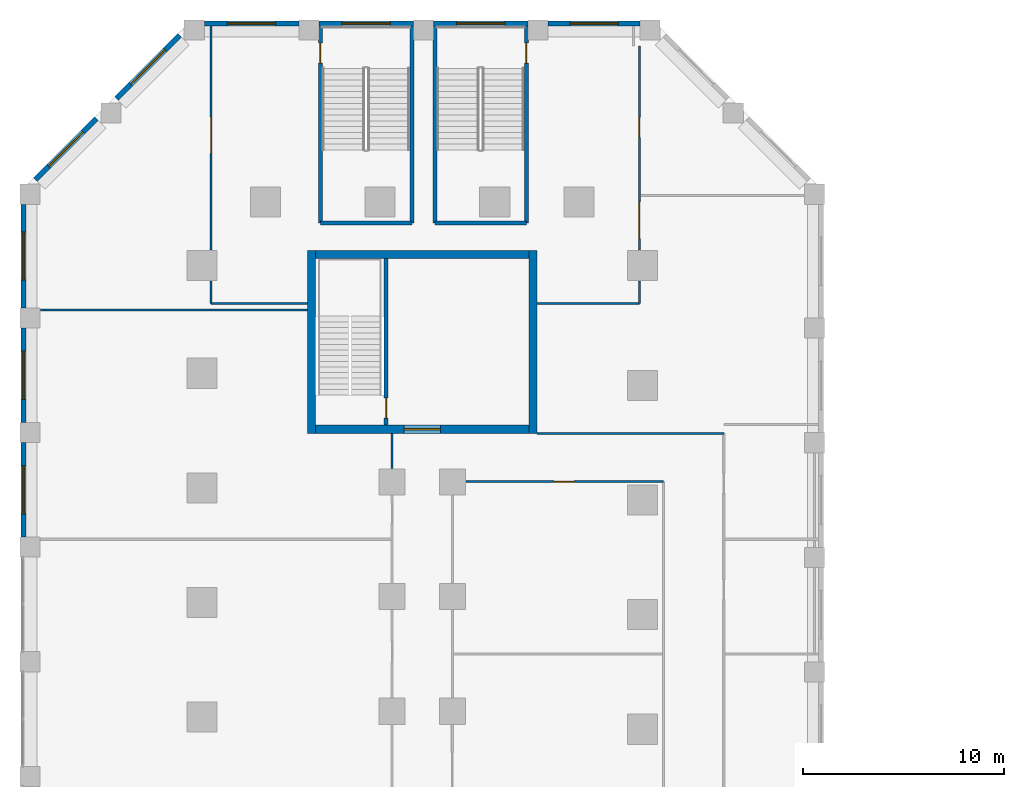
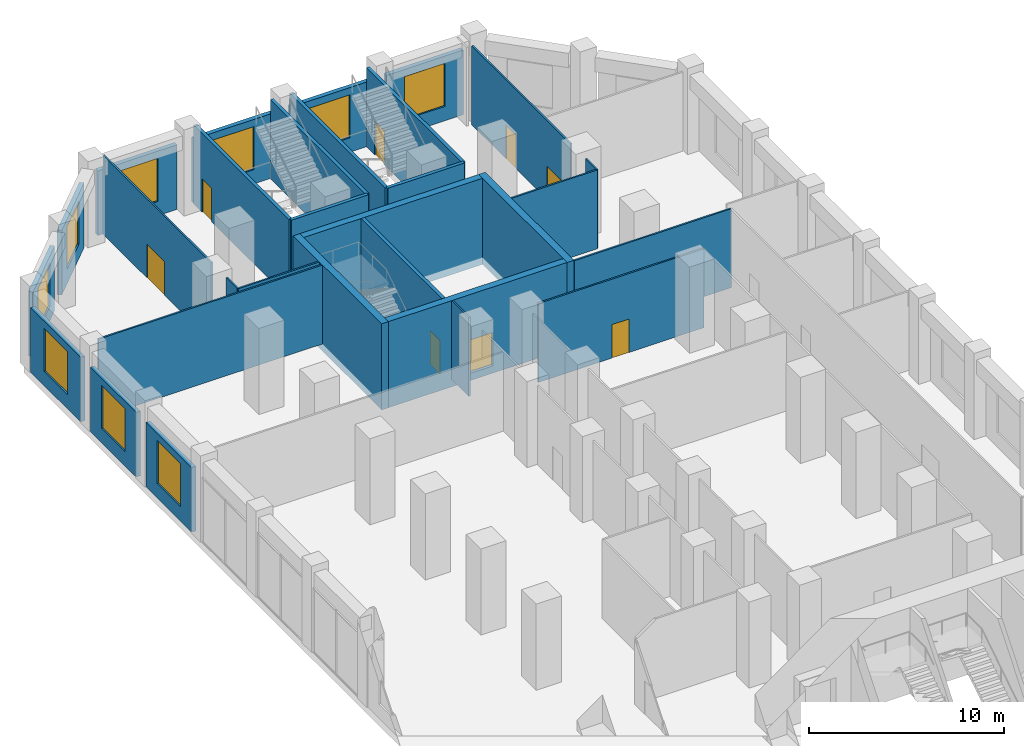
# One storey, part 16 of 23: 30 walls, 9 windows, 8 doors, 17 openings.
"""IFC4 building model written with IfcOpenShell, lengths in metres."""

import ifcopenshell
import ifcopenshell.guid

model = None  # the IFC model being written
_history = None  # IfcOwnerHistory: only IFC2X3 demands one
_inside = {}  # id of a spatial element -> (the spatial element, [elements in it])
_under = {}  # id of a project, library or spatial element -> (it, [spatial elements below it])
_declared = {}  # id of a project -> (the project, [libraries it declares])
_typed = {}  # id of a type object -> (the type object, [elements of that type])
_made_of = {}  # id of a material, layer set ... -> (it, [elements and type objects made of it])


def new_model(schema):
    """Start an empty IFC model of exactly this schema.

    Asked for "IFC4X3", IfcOpenShell would pick the latest addendum, in which some entities
    have other attributes; the version numbers below select the first issue.
    IFC2X3 requires an IfcOwnerHistory on every rooted entity: one is made here for all.
    """
    global model, _history
    if schema == "IFC4X3":
        model = ifcopenshell.file(schema_version=(4, 3, 0, 0))
    else:
        model = ifcopenshell.file(schema=schema)
    _inside.clear()
    _under.clear()
    _declared.clear()
    _typed.clear()
    _made_of.clear()
    _history = None
    if model.schema == "IFC2X3":
        org = make("IfcOrganization", Name="unknown")
        user = make(
            "IfcPersonAndOrganization",
            ThePerson=make("IfcPerson", FamilyName="unknown"),
            TheOrganization=org,
        )
        app = make(
            "IfcApplication",
            ApplicationDeveloper=org,
            Version="unknown",
            ApplicationFullName="unknown",
            ApplicationIdentifier="unknown",
        )
        _history = make(
            "IfcOwnerHistory",
            OwningUser=user,
            OwningApplication=app,
            ChangeAction="ADDED",
            CreationDate=0,
        )
    return model


def make(cls, **values):
    """One entity of the class cls with the attributes given. An attribute that is None is left unset."""
    return model.create_entity(
        cls, **{name: value for name, value in values.items() if value is not None}
    )


def rooted(cls, **values):
    """An entity with a GlobalId (a new one), such as an element, a storey or a relation."""
    return make(cls, GlobalId=ifcopenshell.guid.new(), OwnerHistory=_history, **values)


def si_unit(unit_type, name, prefix=None):
    """IfcSIUnit, for example si_unit("LENGTHUNIT", "METRE", prefix="MILLI")."""
    return make("IfcSIUnit", UnitType=unit_type, Prefix=prefix, Name=name)


def assignment(units):
    """IfcUnitAssignment: the units of a project."""
    return None if units is None else make("IfcUnitAssignment", Units=units)


def point(xyz):
    """IfcCartesianPoint."""
    return None if xyz is None else make("IfcCartesianPoint", Coordinates=xyz)


def direction(xyz):
    """IfcDirection."""
    return None if xyz is None else make("IfcDirection", DirectionRatios=xyz)


def frame(location, z_axis=None, x_axis=None):
    """IfcAxis2Placement3D, a coordinate frame: its origin and axes. An axis left out is left unset."""
    return make(
        "IfcAxis2Placement3D",
        Location=point(location),
        Axis=direction(z_axis),
        RefDirection=direction(x_axis),
    )


def frame_2d(location, x_axis=None):
    """IfcAxis2Placement2D, a coordinate frame in the plane: its origin and x axis."""
    return make(
        "IfcAxis2Placement2D", Location=point(location), RefDirection=direction(x_axis)
    )


def origin():
    """The frame at (0, 0, 0) with its axes left unset."""
    return frame((0.0, 0.0, 0.0))


def place(relative_to, where):
    """IfcLocalPlacement: puts the frame where relative to a parent placement (None: the world)."""
    return make(
        "IfcLocalPlacement", PlacementRelTo=relative_to, RelativePlacement=where
    )


def context(
    kind, dimensions, precision=None, world=None, true_north=None, identifier=None
):
    """IfcGeometricRepresentationContext, for example the 3D "Model" context."""
    return make(
        "IfcGeometricRepresentationContext",
        ContextIdentifier=identifier,
        ContextType=kind,
        CoordinateSpaceDimension=dimensions,
        Precision=precision,
        WorldCoordinateSystem=world,
        TrueNorth=true_north,
    )


def subcontext(parent, identifier, kind, view, scale=None):
    """IfcGeometricRepresentationSubContext, for example "Body" below "Model"."""
    return make(
        "IfcGeometricRepresentationSubContext",
        ContextIdentifier=identifier,
        ContextType=kind,
        ParentContext=parent,
        TargetScale=scale,
        TargetView=view,
    )


def project(units=None, contexts=None):
    """IfcProject with its units and contexts."""
    return rooted(
        "IfcProject",
        Name="project",
        RepresentationContexts=contexts,
        UnitsInContext=assignment(units),
    )


def spatial(cls, under=None, at=None, **own):
    """A site, building, storey or space (cls), placed at a placement, below another one or the project."""
    s = rooted(cls, ObjectPlacement=at, **own)
    if under is not None:
        _under.setdefault(under.id(), (under, []))[1].append(s)
    return s


def profile(cls, at=None, kind="AREA", **sizes):
    """A parametric profile (cls). Its sizes go by their IFC names, for example OverallWidth=200.0."""
    return make(cls, ProfileType=kind, Position=at, **sizes)


def rectangle(**sizes):
    """IfcRectangleProfileDef."""
    return profile("IfcRectangleProfileDef", **sizes)


def extrude(swept, where, along, depth):
    """IfcExtrudedAreaSolid: the profile swept, set in the frame where, extruded along a direction by depth."""
    return make(
        "IfcExtrudedAreaSolid",
        SweptArea=swept,
        Position=where,
        ExtrudedDirection=direction(along),
        Depth=depth,
    )


def shape(context_of_items, identifier, shape_type, items):
    """IfcShapeRepresentation: the items that make up one representation, for example the "Body"."""
    return make(
        "IfcShapeRepresentation",
        ContextOfItems=context_of_items,
        RepresentationIdentifier=identifier,
        RepresentationType=shape_type,
        Items=items,
    )


def material(Name=None, Category=None):
    """IfcMaterial."""
    return make("IfcMaterial", Name=Name, Category=Category)


def layer(
    of_material, thickness, ventilated=None, Name=None, Category=None, Priority=None
):
    """IfcMaterialLayer: one layer of a wall or slab, of a material (None: an air gap)."""
    return make(
        "IfcMaterialLayer",
        Material=of_material,
        LayerThickness=thickness,
        IsVentilated=ventilated,
        Name=Name,
        Category=Category,
        Priority=Priority,
    )


def layer_set(layers, Name=None):
    """IfcMaterialLayerSet."""
    return make("IfcMaterialLayerSet", MaterialLayers=layers, LayerSetName=Name)


def made_of(thing, what):
    """Note that an element or type object is made of a material, layer set ...; save() writes the relation."""
    if what is not None:
        _made_of.setdefault(what.id(), (what, []))[1].append(thing)
    return thing


def type_object(cls, material=None, **own):
    """A type object (cls), such as IfcWallType, which elements share."""
    return made_of(rooted(cls, **own), material)


def element(
    cls,
    number,
    at=None,
    inside=None,
    cuts=None,
    type_object=None,
    material=None,
    context=None,
    identifier="Body",
    shape_type=None,
    held_by="IfcProductDefinitionShape",
    body=None,
    shapes=None,
    **own,
):
    """One element of the class cls, such as IfcWall. Its Tag is "e" and its number.

    at: its placement. inside: the storey or other place that contains it. cuts: it is an
    opening in that element (IfcRelVoidsElement). A single representation is given by context,
    identifier, shape_type and body (its items); several are given by shapes. held_by: the class
    of the entity that holds the representations. save() writes the other relations.
    """
    e = rooted(cls, Tag="e%d" % number, ObjectPlacement=at, **own)
    if body is not None:
        shapes = [shape(context, identifier, shape_type, body)]
    if shapes is not None:
        e.Representation = make(held_by, Representations=shapes)
    if inside is not None:
        _inside.setdefault(inside.id(), (inside, []))[1].append(e)
    if cuts is not None:
        rooted(
            "IfcRelVoidsElement", RelatingBuildingElement=cuts, RelatedOpeningElement=e
        )
    if type_object is not None:
        _typed.setdefault(type_object.id(), (type_object, []))[1].append(e)
    return made_of(e, material)


def fill(opening, filler):
    """IfcRelFillsElement: the door or window that sits in an opening."""
    return rooted(
        "IfcRelFillsElement",
        RelatingOpeningElement=opening,
        RelatedBuildingElement=filler,
    )


def aggregate(whole, parts):
    """IfcRelAggregates: a whole, such as a stair, and the parts it consists of."""
    return rooted("IfcRelAggregates", RelatingObject=whole, RelatedObjects=parts)


def save(model, path):
    """Write the relations noted so far, then the file.

    IfcRelAggregates (storeys below a building ...), IfcRelContainedInSpatialStructure (elements
    in a storey), IfcRelDefinesByType, IfcRelAssociatesMaterial and IfcRelDeclares: one each for
    every whole, place, type object, material and project.
    """
    for whole, parts in _under.values():
        aggregate(whole, parts)
    for where, things in _inside.values():
        rooted(
            "IfcRelContainedInSpatialStructure",
            RelatedElements=things,
            RelatingStructure=where,
        )
    for kind, things in _typed.values():
        rooted("IfcRelDefinesByType", RelatedObjects=things, RelatingType=kind)
    for what, things in _made_of.values():
        rooted("IfcRelAssociatesMaterial", RelatedObjects=things, RelatingMaterial=what)
    for by, libraries in _declared.values():
        rooted("IfcRelDeclares", RelatingContext=by, RelatedDefinitions=libraries)
    model.write(path)


model = new_model("IFC4")

# Units and contexts
model_context = context("Model", 3, precision=1e-05, world=origin(), true_north=direction((0.0, 1.0)))
body_context = subcontext(model_context, "Body", "Model", "MODEL_VIEW")
ifc_project = project(units=[si_unit("LENGTHUNIT", "METRE"), si_unit("AREAUNIT", "SQUARE_METRE"), si_unit("VOLUMEUNIT", "CUBIC_METRE"), si_unit("PLANEANGLEUNIT", "RADIAN"), si_unit("MASSUNIT", "GRAM", prefix="KILO")], contexts=[model_context])

# Site, building, storey
site_placement = place(None, origin())
site = spatial("IfcSite", under=ifc_project, at=site_placement, CompositionType="ELEMENT")
building_placement = place(site_placement, origin())
building = spatial("IfcBuilding", under=site, at=building_placement, Name="Meshkara Civic Tower", CompositionType="ELEMENT")
storey_placement = place(building_placement, frame((0.0, 0.0, 7.199951171875)))
storey = spatial("IfcBuildingStorey", under=building, at=storey_placement, Name="L01", CompositionType="ELEMENT", Elevation=7.199951171875)

# Walls
ifc_material_1 = material(Name="Corridor wall 100")
ifc_layer_1 = layer(ifc_material_1, 0.10009765625)
ifc_layer_set_1 = layer_set([ifc_layer_1], Name="Corridor wall 100")
wall_type_1 = type_object("IfcWallType", Name="Corridor wall 100", PredefinedType="PARTITIONING", material=ifc_layer_set_1)
wall_1_placement = place(storey_placement, frame((0.89990234375, 77.719970703125, 0.0), z_axis=(0.0, 0.0, 1.0), x_axis=(1.0, 0.0, 0.0)))
element("IfcWall", 1, at=wall_1_placement, inside=storey, type_object=wall_type_1, Name="L01-R001", PredefinedType="PARTITIONING", context=body_context, shape_type="SweptSolid", body=[
    extrude(rectangle(XDim=4.800048828125, YDim=0.10009765625, at=frame_2d((2.39990234375, 0.0))), origin(), (0.0, 0.0, 1.0), 4.949951171875),
])
wall_2_placement = place(storey_placement, frame((0.89990234375, 78.843994140625, 0.0), z_axis=(0.0, 0.0, 1.0), x_axis=(0.0, -1.0, 0.0)))
element("IfcWall", 2, at=wall_2_placement, inside=storey, type_object=wall_type_1, Name="L01-R002", PredefinedType="PARTITIONING", context=body_context, shape_type="SweptSolid", body=[
    extrude(rectangle(XDim=1.1240234375, YDim=0.10009765625, at=frame_2d((0.56201171875, 0.0))), origin(), (0.0, 0.0, 1.0), 4.949951171875),
])

# Wall, opening, door
wall_3_placement = place(storey_placement, frame((0.89990234375, 91.52001953125, 0.0), z_axis=(0.0, 0.0, 1.0), x_axis=(0.0, -1.0, 0.0)))
wall_3 = element("IfcWall", 3, at=wall_3_placement, inside=storey, type_object=wall_type_1, Name="L01-R003", PredefinedType="PARTITIONING", context=body_context, shape_type="SweptSolid", body=[
    extrude(rectangle(XDim=11.135986328125, YDim=0.10009765625, at=frame_2d((5.56787109375, 0.0))), origin(), (0.0, 0.0, 1.0), 4.949951171875),
])
opening_1_placement = place(wall_3_placement, frame((4.530029296875, 0.0, 0.0)))
opening_1 = element("IfcOpeningElement", 4, at=opening_1_placement, cuts=wall_3, Name="Opening L01-P039", PredefinedType="OPENING", context=body_context, shape_type="SweptSolid", body=[
    extrude(rectangle(XDim=1.800048828125, YDim=2.10009765625, at=frame_2d((0.89990234375, 1.050048828125))), frame((0.0, 0.06005859375, 0.0), z_axis=(0.0, -1.0, 0.0), x_axis=(1.0, 0.0, 0.0)), (0.0, 0.0, 1.0), 0.1201171875),
])
ifc_material_2 = material(Name="Door pair 1800 x 2100")
door_type_1 = type_object("IfcDoorType", Name="Door pair 1800 x 2100", OperationType="SINGLE_SWING_LEFT", PredefinedType="DOOR", material=ifc_material_2)
door_1_placement = place(opening_1_placement, origin())
door_1 = element("IfcDoor", 5, at=door_1_placement, inside=storey, type_object=door_type_1, Name="L01-P039", OperationType="DOUBLE_DOOR_SINGLE_SWING", OverallHeight=2.10009765625, OverallWidth=1.800048828125, PredefinedType="DOOR", context=body_context, shape_type="SweptSolid", body=[
    extrude(rectangle(XDim=1.800048828125, YDim=2.10009765625, at=frame_2d((0.89990234375, 1.050048828125))), frame((0.0, 0.02490234375, 0.0), z_axis=(0.0, -1.0, 0.0), x_axis=(1.0, 0.0, 0.0)), (0.0, 0.0, 1.0), 0.050048828125),
])
fill(opening_1, door_1)

# Wall
wall_4_placement = place(storey_placement, frame((9.89990234375, 71.27001953125, 0.0), z_axis=(0.0, 0.0, 1.0), x_axis=(0.0, -1.0, 0.0)))
element("IfcWall", 6, at=wall_4_placement, inside=storey, type_object=wall_type_1, Name="L01-R015", PredefinedType="PARTITIONING", context=body_context, shape_type="SweptSolid", body=[
    extrude(rectangle(XDim=1.75, YDim=0.10009765625, at=frame_2d((0.875, 0.0))), origin(), (0.0, 0.0, 1.0), 4.949951171875),
])

# Wall, opening, door
wall_5_placement = place(storey_placement, frame((13.570068359375, 68.8701171875, 0.0), z_axis=(0.0, 0.0, 1.0), x_axis=(1.0, 0.0, 0.0)))
wall_5 = element("IfcWall", 7, at=wall_5_placement, inside=storey, type_object=wall_type_1, Name="L01-R024", PredefinedType="PARTITIONING", context=body_context, shape_type="SweptSolid", body=[
    extrude(rectangle(XDim=9.829833984375, YDim=0.10009765625, at=frame_2d((4.9150390625, 0.0))), origin(), (0.0, 0.0, 1.0), 4.949951171875),
])
opening_2_placement = place(wall_5_placement, frame((4.3798828125, 0.0, 0.0)))
opening_2 = element("IfcOpeningElement", 8, at=opening_2_placement, cuts=wall_5, Name="Opening L01-P036", PredefinedType="OPENING", context=body_context, shape_type="SweptSolid", body=[
    extrude(rectangle(XDim=1.0, YDim=2.10009765625, at=frame_2d((0.5, 1.050048828125))), frame((0.0, 0.06005859375, 0.0), z_axis=(0.0, -1.0, 0.0), x_axis=(1.0, 0.0, 0.0)), (0.0, 0.0, 1.0), 0.1201171875),
])
ifc_material_3 = material(Name="Door 1000 x 2100")
door_type_2 = type_object("IfcDoorType", Name="Door 1000 x 2100", OperationType="SINGLE_SWING_LEFT", PredefinedType="DOOR", material=ifc_material_3)
door_2_placement = place(opening_2_placement, origin())
door_2 = element("IfcDoor", 9, at=door_2_placement, inside=storey, type_object=door_type_2, Name="L01-P036", OperationType="SINGLE_SWING_RIGHT", OverallHeight=2.10009765625, OverallWidth=1.0, PredefinedType="DOOR", context=body_context, shape_type="SweptSolid", body=[
    extrude(rectangle(XDim=1.0, YDim=2.10009765625, at=frame_2d((0.5, 1.050048828125))), frame((0.0, 0.02490234375, 0.0), z_axis=(0.0, -1.0, 0.0), x_axis=(1.0, 0.0, 0.0)), (0.0, 0.0, 1.0), 0.050048828125),
])
fill(opening_2, door_2)

# Walls
wall_6_placement = place(storey_placement, frame((17.10009765625, 77.719970703125, 0.0), z_axis=(0.0, 0.0, 1.0), x_axis=(1.0, 0.0, 0.0)))
element("IfcWall", 10, at=wall_6_placement, inside=storey, type_object=wall_type_1, Name="L01-R027", PredefinedType="PARTITIONING", context=body_context, shape_type="SweptSolid", body=[
    extrude(rectangle(XDim=5.099853515625, YDim=0.10009765625, at=frame_2d((2.5498046875, 0.0))), origin(), (0.0, 0.0, 1.0), 4.949951171875),
])
wall_7_placement = place(storey_placement, frame((22.199951171875, 77.719970703125, 0.0), z_axis=(0.0, 0.0, 1.0), x_axis=(0.0, 1.0, 0.0)))
element("IfcWall", 11, at=wall_7_placement, inside=storey, type_object=wall_type_1, Name="L01-R030", PredefinedType="PARTITIONING", context=body_context, shape_type="SweptSolid", body=[
    extrude(rectangle(XDim=1.1240234375, YDim=0.10009765625, at=frame_2d((0.56201171875, 0.0))), origin(), (0.0, 0.0, 1.0), 4.949951171875),
])

# Wall, openings, doors
wall_8_placement = place(storey_placement, frame((22.199951171875, 80.384033203125, 0.0), z_axis=(0.0, 0.0, 1.0), x_axis=(0.0, 1.0, 0.0)))
wall_8 = element("IfcWall", 12, at=wall_8_placement, inside=storey, type_object=wall_type_1, Name="L01-R031", PredefinedType="PARTITIONING", context=body_context, shape_type="SweptSolid", body=[
    extrude(rectangle(XDim=10.135986328125, YDim=0.10009765625, at=frame_2d((5.06787109375, 0.0))), origin(), (0.0, 0.0, 1.0), 4.949951171875),
])
opening_3_placement = place(wall_8_placement, frame((0.580078125, 0.0, 0.0)))
opening_3 = element("IfcOpeningElement", 13, at=opening_3_placement, cuts=wall_8, Name="Opening L01-P038", PredefinedType="OPENING", context=body_context, shape_type="SweptSolid", body=[
    extrude(rectangle(XDim=1.800048828125, YDim=2.10009765625, at=frame_2d((0.89990234375, 1.050048828125))), frame((0.0, 0.06005859375, 0.0), z_axis=(0.0, -1.0, 0.0), x_axis=(1.0, 0.0, 0.0)), (0.0, 0.0, 1.0), 0.1201171875),
])
opening_4_placement = place(wall_8_placement, frame((5.595947265625, 0.0, 0.0)))
opening_4 = element("IfcOpeningElement", 14, at=opening_4_placement, cuts=wall_8, Name="Opening L01-P040", PredefinedType="OPENING", context=body_context, shape_type="SweptSolid", body=[
    extrude(rectangle(XDim=1.0, YDim=2.10009765625, at=frame_2d((0.5, 1.050048828125))), frame((0.0, 0.06005859375, 0.0), z_axis=(0.0, -1.0, 0.0), x_axis=(1.0, 0.0, 0.0)), (0.0, 0.0, 1.0), 0.1201171875),
])
door_3_placement = place(opening_4_placement, origin())
door_3 = element("IfcDoor", 15, at=door_3_placement, inside=storey, type_object=door_type_2, Name="L01-P040", OperationType="SINGLE_SWING_RIGHT", OverallHeight=2.10009765625, OverallWidth=1.0, PredefinedType="DOOR", context=body_context, shape_type="SweptSolid", body=[
    extrude(rectangle(XDim=1.0, YDim=2.10009765625, at=frame_2d((0.5, 1.050048828125))), frame((0.0, 0.02490234375, 0.0), z_axis=(0.0, -1.0, 0.0), x_axis=(1.0, 0.0, 0.0)), (0.0, 0.0, 1.0), 0.050048828125),
])
fill(opening_4, door_3)
door_4_placement = place(opening_3_placement, origin())
door_4 = element("IfcDoor", 16, at=door_4_placement, inside=storey, type_object=door_type_1, Name="L01-P038", OperationType="DOUBLE_DOOR_SINGLE_SWING", OverallHeight=2.10009765625, OverallWidth=1.800048828125, PredefinedType="DOOR", context=body_context, shape_type="SweptSolid", body=[
    extrude(rectangle(XDim=1.800048828125, YDim=2.10009765625, at=frame_2d((0.89990234375, 1.050048828125))), frame((0.0, 0.02490234375, 0.0), z_axis=(0.0, -1.0, 0.0), x_axis=(1.0, 0.0, 0.0)), (0.0, 0.0, 1.0), 0.050048828125),
])
fill(opening_3, door_4)

# Walls
wall_9_placement = place(storey_placement, frame((26.39990234375, 71.27001953125, 0.0), z_axis=(0.0, 0.0, 1.0), x_axis=(-1.0, 0.0, 0.0)))
element("IfcWall", 17, at=wall_9_placement, inside=storey, type_object=wall_type_1, Name="L01-R037", PredefinedType="PARTITIONING", context=body_context, shape_type="SweptSolid", body=[
    extrude(rectangle(XDim=9.2998046875, YDim=0.10009765625, at=frame_2d((4.64990234375, 0.0))), origin(), (0.0, 0.0, 1.0), 4.949951171875),
])
ifc_material_4 = material(Name="Concrete C80", Category="concrete")
ifc_layer_2 = layer(ifc_material_4, 0.39990234375)
ifc_layer_set_2 = layer_set([ifc_layer_2], Name="End core ring wall 400 C80")
wall_type_2 = type_object("IfcWallType", Name="End core ring wall 400 C80", PredefinedType="SHEAR", material=ifc_layer_set_2)
for number, where, z_axis, x_axis, name in (
    (18, (5.89990234375, 71.27001953125, -0.449951171875), (0.0, 0.0, 1.0), (0.0, 1.0, 0.0), "L01-C026"),
    (19, (16.89990234375, 71.27001953125, -0.449951171875), (0.0, 0.0, 1.0), (0.0, 1.0, 0.0), "L01-C027"),
):
    element("IfcWall", number, at=place(storey_placement, frame(where, z_axis=z_axis, x_axis=x_axis)), inside=storey, type_object=wall_type_2, Name=name, PredefinedType="SHEAR", context=body_context, shape_type="SweptSolid", body=[
        extrude(rectangle(XDim=9.10009765625, YDim=0.39990234375, at=frame_2d((4.550048828125, 0.0))), origin(), (0.0, 0.0, 1.0), 5.39990234375),
    ])

# Wall, opening, door
wall_10_placement = place(storey_placement, frame((6.10009765625, 71.469970703125, -0.449951171875), z_axis=(0.0, 0.0, 1.0), x_axis=(1.0, 0.0, 0.0)))
wall_10 = element("IfcWall", 20, at=wall_10_placement, inside=storey, type_object=wall_type_2, Name="L01-C028", PredefinedType="SHEAR", context=body_context, shape_type="SweptSolid", body=[
    extrude(rectangle(XDim=10.599853515625, YDim=0.39990234375, at=frame_2d((5.2998046875, 0.0))), origin(), (0.0, 0.0, 1.0), 5.39990234375),
])
opening_5_placement = place(wall_10_placement, frame((4.39990234375, 0.0, 0.449951171875)))
opening_5 = element("IfcOpeningElement", 21, at=opening_5_placement, cuts=wall_10, Name="Opening L01-K102", PredefinedType="OPENING", context=body_context, shape_type="SweptSolid", body=[
    extrude(rectangle(XDim=1.800048828125, YDim=2.10009765625, at=frame_2d((0.89990234375, 1.050048828125))), frame((0.0, 0.2099609375, 0.0), z_axis=(0.0, -1.0, 0.0), x_axis=(1.0, 0.0, 0.0)), (0.0, 0.0, 1.0), 0.419921875),
])
ifc_material_5 = material(Name="Fire-rated door leaf in steel frame", Category="steel")
door_type_3 = type_object("IfcDoorType", Name="Core double door 1800 EI 60", OperationType="DOUBLE_DOOR_SINGLE_SWING", PredefinedType="DOOR", material=ifc_material_5)
door_5_placement = place(opening_5_placement, origin())
door_5 = element("IfcDoor", 22, at=door_5_placement, inside=storey, type_object=door_type_3, Name="L01-K102", OperationType="DOUBLE_DOOR_SINGLE_SWING", OverallHeight=2.10009765625, OverallWidth=1.800048828125, PredefinedType="DOOR", context=body_context, shape_type="SweptSolid", body=[
    extrude(rectangle(XDim=1.800048828125, YDim=2.10009765625, at=frame_2d((0.89990234375, 1.050048828125))), frame((0.0, 0.02490234375, 0.0), z_axis=(0.0, -1.0, 0.0), x_axis=(1.0, 0.0, 0.0)), (0.0, 0.0, 1.0), 0.050048828125),
])
fill(opening_5, door_5)

# Wall
wall_11_placement = place(storey_placement, frame((6.10009765625, 80.169921875, -0.449951171875), z_axis=(0.0, 0.0, 1.0), x_axis=(1.0, 0.0, 0.0)))
element("IfcWall", 23, at=wall_11_placement, inside=storey, type_object=wall_type_2, Name="L01-C029", PredefinedType="SHEAR", context=body_context, shape_type="SweptSolid", body=[
    extrude(rectangle(XDim=10.599853515625, YDim=0.39990234375, at=frame_2d((5.2998046875, 0.0))), origin(), (0.0, 0.0, 1.0), 5.39990234375),
])

# Wall, opening, window
ifc_material_6 = material(Name="Stone cladding on insulated backing wall", Category="masonry")
ifc_layer_3 = layer(ifc_material_6, 0.25)
ifc_layer_set_3 = layer_set([ifc_layer_3], Name="PODIUM STONE WALL 250")
wall_type_3 = type_object("IfcWallType", Name="PODIUM STONE WALL 250", PredefinedType="SOLIDWALL", material=ifc_layer_set_3)
wall_12_placement = place(storey_placement, frame((22.236083984375, 91.64501953125, 0.0), z_axis=(0.0, 0.0, 1.0), x_axis=(-1.0, 0.0, 0.0)))
wall_12 = element("IfcWall", 24, at=wall_12_placement, inside=storey, type_object=wall_type_3, Name="Podium external wall", PredefinedType="SOLIDWALL", context=body_context, shape_type="SweptSolid", body=[
    extrude(rectangle(XDim=4.572021484375, YDim=0.25, at=frame_2d((2.2861328125, 0.0))), origin(), (0.0, 0.0, 1.0), 4.050048828125),
])
opening_6_placement = place(wall_12_placement, frame((1.0859375, 0.0, 0.89990234375)))
opening_6 = element("IfcOpeningElement", 25, at=opening_6_placement, cuts=wall_12, Name="Opening PW4", PredefinedType="OPENING", context=body_context, shape_type="SweptSolid", body=[
    extrude(rectangle(XDim=2.39990234375, YDim=2.699951171875, at=frame_2d((1.199951171875, 1.35009765625))), frame((0.0, 0.135009765625, 0.0), z_axis=(0.0, -1.0, 0.0), x_axis=(1.0, 0.0, 0.0)), (0.0, 0.0, 1.0), 0.27001953125),
])
ifc_material_7 = material(Name="Tinted double glazing", Category="glass")
window_type = type_object("IfcWindowType", Name="PODIUM WINDOW 2400x2700", PartitioningType="DOUBLE_PANEL_VERTICAL", PredefinedType="WINDOW", material=ifc_material_7)
window_1_placement = place(opening_6_placement, origin())
window_1 = element("IfcWindow", 26, at=window_1_placement, inside=storey, type_object=window_type, Name="Podium window", OverallHeight=2.699951171875, OverallWidth=2.39990234375, PartitioningType="DOUBLE_PANEL_VERTICAL", PredefinedType="WINDOW", context=body_context, shape_type="SweptSolid", body=[
    extrude(rectangle(XDim=2.39990234375, YDim=2.699951171875, at=frame_2d((1.199951171875, 1.35009765625))), frame((0.0, 0.030029296875, 0.0), z_axis=(0.0, -1.0, 0.0), x_axis=(1.0, 0.0, 0.0)), (0.0, 0.0, 1.0), 0.06005859375),
])
fill(opening_6, window_1)

wall_13_placement = place(storey_placement, frame((16.6640625, 91.64501953125, 0.0), z_axis=(0.0, 0.0, 1.0), x_axis=(-1.0, 0.0, 0.0)))
wall_13 = element("IfcWall", 27, at=wall_13_placement, inside=storey, type_object=wall_type_3, Name="Podium external wall", PredefinedType="SOLIDWALL", context=body_context, shape_type="SweptSolid", body=[
    extrude(rectangle(XDim=4.699951171875, YDim=0.25, at=frame_2d((2.35009765625, 0.0))), origin(), (0.0, 0.0, 1.0), 4.050048828125),
])
opening_7_placement = place(wall_13_placement, frame((1.14990234375, 0.0, 0.89990234375)))
opening_7 = element("IfcOpeningElement", 28, at=opening_7_placement, cuts=wall_13, Name="Opening PW4", PredefinedType="OPENING", context=body_context, shape_type="SweptSolid", body=[
    extrude(rectangle(XDim=2.39990234375, YDim=2.699951171875, at=frame_2d((1.199951171875, 1.35009765625))), frame((0.0, 0.135009765625, 0.0), z_axis=(0.0, -1.0, 0.0), x_axis=(1.0, 0.0, 0.0)), (0.0, 0.0, 1.0), 0.27001953125),
])
window_2_placement = place(opening_7_placement, origin())
window_2 = element("IfcWindow", 29, at=window_2_placement, inside=storey, type_object=window_type, Name="Podium window", OverallHeight=2.699951171875, OverallWidth=2.39990234375, PartitioningType="DOUBLE_PANEL_VERTICAL", PredefinedType="WINDOW", context=body_context, shape_type="SweptSolid", body=[
    extrude(rectangle(XDim=2.39990234375, YDim=2.699951171875, at=frame_2d((1.199951171875, 1.35009765625))), frame((0.0, 0.030029296875, 0.0), z_axis=(0.0, -1.0, 0.0), x_axis=(1.0, 0.0, 0.0)), (0.0, 0.0, 1.0), 0.06005859375),
])
fill(opening_7, window_2)

wall_14_placement = place(storey_placement, frame((10.964111328125, 91.64501953125, 0.0), z_axis=(0.0, 0.0, 1.0), x_axis=(-1.0, 0.0, 0.0)))
wall_14 = element("IfcWall", 30, at=wall_14_placement, inside=storey, type_object=wall_type_3, Name="Podium external wall", PredefinedType="SOLIDWALL", context=body_context, shape_type="SweptSolid", body=[
    extrude(rectangle(XDim=4.7001953125, YDim=0.25, at=frame_2d((2.35009765625, 0.0))), origin(), (0.0, 0.0, 1.0), 4.050048828125),
])
opening_8_placement = place(wall_14_placement, frame((1.14990234375, 0.0, 0.89990234375)))
opening_8 = element("IfcOpeningElement", 31, at=opening_8_placement, cuts=wall_14, Name="Opening PW4", PredefinedType="OPENING", context=body_context, shape_type="SweptSolid", body=[
    extrude(rectangle(XDim=2.39990234375, YDim=2.699951171875, at=frame_2d((1.199951171875, 1.35009765625))), frame((0.0, 0.135009765625, 0.0), z_axis=(0.0, -1.0, 0.0), x_axis=(1.0, 0.0, 0.0)), (0.0, 0.0, 1.0), 0.27001953125),
])
window_3_placement = place(opening_8_placement, origin())
window_3 = element("IfcWindow", 32, at=window_3_placement, inside=storey, type_object=window_type, Name="Podium window", OverallHeight=2.699951171875, OverallWidth=2.39990234375, PartitioningType="DOUBLE_PANEL_VERTICAL", PredefinedType="WINDOW", context=body_context, shape_type="SweptSolid", body=[
    extrude(rectangle(XDim=2.39990234375, YDim=2.699951171875, at=frame_2d((1.199951171875, 1.35009765625))), frame((0.0, 0.030029296875, 0.0), z_axis=(0.0, -1.0, 0.0), x_axis=(1.0, 0.0, 0.0)), (0.0, 0.0, 1.0), 0.06005859375),
])
fill(opening_8, window_3)

wall_15_placement = place(storey_placement, frame((5.263916015625, 91.64501953125, 0.0), z_axis=(0.0, 0.0, 1.0), x_axis=(-1.0, 0.0, 0.0)))
wall_15 = element("IfcWall", 33, at=wall_15_placement, inside=storey, type_object=wall_type_3, Name="Podium external wall", PredefinedType="SOLIDWALL", context=body_context, shape_type="SweptSolid", body=[
    extrude(rectangle(XDim=4.699951171875, YDim=0.25, at=frame_2d((2.35009765625, 0.0))), origin(), (0.0, 0.0, 1.0), 4.050048828125),
])
opening_9_placement = place(wall_15_placement, frame((1.14990234375, 0.0, 0.89990234375)))
opening_9 = element("IfcOpeningElement", 34, at=opening_9_placement, cuts=wall_15, Name="Opening PW4", PredefinedType="OPENING", context=body_context, shape_type="SweptSolid", body=[
    extrude(rectangle(XDim=2.39990234375, YDim=2.699951171875, at=frame_2d((1.199951171875, 1.35009765625))), frame((0.0, 0.135009765625, 0.0), z_axis=(0.0, -1.0, 0.0), x_axis=(1.0, 0.0, 0.0)), (0.0, 0.0, 1.0), 0.27001953125),
])
window_4_placement = place(opening_9_placement, origin())
window_4 = element("IfcWindow", 35, at=window_4_placement, inside=storey, type_object=window_type, Name="Podium window", OverallHeight=2.699951171875, OverallWidth=2.39990234375, PartitioningType="DOUBLE_PANEL_VERTICAL", PredefinedType="WINDOW", context=body_context, shape_type="SweptSolid", body=[
    extrude(rectangle(XDim=2.39990234375, YDim=2.699951171875, at=frame_2d((1.199951171875, 1.35009765625))), frame((0.0, 0.030029296875, 0.0), z_axis=(0.0, -1.0, 0.0), x_axis=(1.0, 0.0, 0.0)), (0.0, 0.0, 1.0), 0.06005859375),
])
fill(opening_9, window_4)

wall_16_placement = place(storey_placement, frame((-0.666015625, 91.050048828125, 0.0), z_axis=(0.0, 0.0, 1.0), x_axis=(-0.707106781187, -0.707106781187, 0.0)))
wall_16 = element("IfcWall", 36, at=wall_16_placement, inside=storey, type_object=wall_type_3, Name="Podium external wall", PredefinedType="SOLIDWALL", context=body_context, shape_type="SweptSolid", body=[
    extrude(rectangle(XDim=4.430908203125, YDim=0.25, at=frame_2d((2.21533203125, 0.0))), origin(), (0.0, 0.0, 1.0), 4.050048828125),
])
opening_10_placement = place(wall_16_placement, frame((1.014892578125, 0.0, 0.89990234375)))
opening_10 = element("IfcOpeningElement", 37, at=opening_10_placement, cuts=wall_16, Name="Opening PW4", PredefinedType="OPENING", context=body_context, shape_type="SweptSolid", body=[
    extrude(rectangle(XDim=2.39990234375, YDim=2.699951171875, at=frame_2d((1.199951171875, 1.35009765625))), frame((0.0, 0.135009765625, 0.0), z_axis=(0.0, -1.0, 0.0), x_axis=(1.0, 0.0, 0.0)), (0.0, 0.0, 1.0), 0.27001953125),
])
window_5_placement = place(opening_10_placement, origin())
window_5 = element("IfcWindow", 38, at=window_5_placement, inside=storey, type_object=window_type, Name="Podium window", OverallHeight=2.699951171875, OverallWidth=2.39990234375, PartitioningType="DOUBLE_PANEL_VERTICAL", PredefinedType="WINDOW", context=body_context, shape_type="SweptSolid", body=[
    extrude(rectangle(XDim=2.39990234375, YDim=2.699951171875, at=frame_2d((1.199951171875, 1.35009765625))), frame((0.0, 0.030029296875, 0.0), z_axis=(0.0, -1.0, 0.0), x_axis=(1.0, 0.0, 0.0)), (0.0, 0.0, 1.0), 0.06005859375),
])
fill(opening_10, window_5)

wall_17_placement = place(storey_placement, frame((-4.799072265625, 86.9169921875, 0.0), z_axis=(0.0, 0.0, 1.0), x_axis=(-0.707106781187, -0.707106781187, 0.0)))
wall_17 = element("IfcWall", 39, at=wall_17_placement, inside=storey, type_object=wall_type_3, Name="Podium external wall", PredefinedType="SOLIDWALL", context=body_context, shape_type="SweptSolid", body=[
    extrude(rectangle(XDim=4.286376953125, YDim=0.25, at=frame_2d((2.14306640625, 0.0))), origin(), (0.0, 0.0, 1.0), 4.050048828125),
])
opening_11_placement = place(wall_17_placement, frame((0.943115234375, 0.0, 0.89990234375)))
opening_11 = element("IfcOpeningElement", 40, at=opening_11_placement, cuts=wall_17, Name="Opening PW4", PredefinedType="OPENING", context=body_context, shape_type="SweptSolid", body=[
    extrude(rectangle(XDim=2.39990234375, YDim=2.699951171875, at=frame_2d((1.199951171875, 1.35009765625))), frame((0.0, 0.135009765625, 0.0), z_axis=(0.0, -1.0, 0.0), x_axis=(1.0, 0.0, 0.0)), (0.0, 0.0, 1.0), 0.27001953125),
])
window_6_placement = place(opening_11_placement, origin())
window_6 = element("IfcWindow", 41, at=window_6_placement, inside=storey, type_object=window_type, Name="Podium window", OverallHeight=2.699951171875, OverallWidth=2.39990234375, PartitioningType="DOUBLE_PANEL_VERTICAL", PredefinedType="WINDOW", context=body_context, shape_type="SweptSolid", body=[
    extrude(rectangle(XDim=2.39990234375, YDim=2.699951171875, at=frame_2d((1.199951171875, 1.35009765625))), frame((0.0, 0.030029296875, 0.0), z_axis=(0.0, -1.0, 0.0), x_axis=(1.0, 0.0, 0.0)), (0.0, 0.0, 1.0), 0.06005859375),
])
fill(opening_11, window_6)

wall_18_placement = place(storey_placement, frame((-8.425048828125, 82.656005859375, 0.0), z_axis=(0.0, 0.0, 1.0), x_axis=(0.0, -1.0, 0.0)))
wall_18 = element("IfcWall", 42, at=wall_18_placement, inside=storey, type_object=wall_type_3, Name="Podium external wall", PredefinedType="SOLIDWALL", context=body_context, shape_type="SweptSolid", body=[
    extrude(rectangle(XDim=5.14501953125, YDim=0.25, at=frame_2d((2.572509765625, 0.0))), origin(), (0.0, 0.0, 1.0), 4.050048828125),
])
opening_12_placement = place(wall_18_placement, frame((1.373046875, 0.0, 0.89990234375)))
opening_12 = element("IfcOpeningElement", 43, at=opening_12_placement, cuts=wall_18, Name="Opening PW4", PredefinedType="OPENING", context=body_context, shape_type="SweptSolid", body=[
    extrude(rectangle(XDim=2.39990234375, YDim=2.699951171875, at=frame_2d((1.199951171875, 1.35009765625))), frame((0.0, 0.135009765625, 0.0), z_axis=(0.0, -1.0, 0.0), x_axis=(1.0, 0.0, 0.0)), (0.0, 0.0, 1.0), 0.27001953125),
])
window_7_placement = place(opening_12_placement, origin())
window_7 = element("IfcWindow", 44, at=window_7_placement, inside=storey, type_object=window_type, Name="Podium window", OverallHeight=2.699951171875, OverallWidth=2.39990234375, PartitioningType="DOUBLE_PANEL_VERTICAL", PredefinedType="WINDOW", context=body_context, shape_type="SweptSolid", body=[
    extrude(rectangle(XDim=2.39990234375, YDim=2.699951171875, at=frame_2d((1.199951171875, 1.35009765625))), frame((0.0, 0.030029296875, 0.0), z_axis=(0.0, -1.0, 0.0), x_axis=(1.0, 0.0, 0.0)), (0.0, 0.0, 1.0), 0.06005859375),
])
fill(opening_12, window_7)

wall_19_placement = place(storey_placement, frame((-8.425048828125, 76.510986328125, 0.0), z_axis=(0.0, 0.0, 1.0), x_axis=(0.0, -1.0, 0.0)))
wall_19 = element("IfcWall", 45, at=wall_19_placement, inside=storey, type_object=wall_type_3, Name="Podium external wall", PredefinedType="SOLIDWALL", context=body_context, shape_type="SweptSolid", body=[
    extrude(rectangle(XDim=4.699951171875, YDim=0.25, at=frame_2d((2.35009765625, 0.0))), origin(), (0.0, 0.0, 1.0), 4.050048828125),
])
opening_13_placement = place(wall_19_placement, frame((1.14990234375, 0.0, 0.89990234375)))
opening_13 = element("IfcOpeningElement", 46, at=opening_13_placement, cuts=wall_19, Name="Opening PW4", PredefinedType="OPENING", context=body_context, shape_type="SweptSolid", body=[
    extrude(rectangle(XDim=2.39990234375, YDim=2.699951171875, at=frame_2d((1.199951171875, 1.35009765625))), frame((0.0, 0.135009765625, 0.0), z_axis=(0.0, -1.0, 0.0), x_axis=(1.0, 0.0, 0.0)), (0.0, 0.0, 1.0), 0.27001953125),
])
window_8_placement = place(opening_13_placement, origin())
window_8 = element("IfcWindow", 47, at=window_8_placement, inside=storey, type_object=window_type, Name="Podium window", OverallHeight=2.699951171875, OverallWidth=2.39990234375, PartitioningType="DOUBLE_PANEL_VERTICAL", PredefinedType="WINDOW", context=body_context, shape_type="SweptSolid", body=[
    extrude(rectangle(XDim=2.39990234375, YDim=2.699951171875, at=frame_2d((1.199951171875, 1.35009765625))), frame((0.0, 0.030029296875, 0.0), z_axis=(0.0, -1.0, 0.0), x_axis=(1.0, 0.0, 0.0)), (0.0, 0.0, 1.0), 0.06005859375),
])
fill(opening_13, window_8)

wall_20_placement = place(storey_placement, frame((-8.425048828125, 70.81103515625, 0.0), z_axis=(0.0, 0.0, 1.0), x_axis=(0.0, -1.0, 0.0)))
wall_20 = element("IfcWall", 48, at=wall_20_placement, inside=storey, type_object=wall_type_3, Name="Podium external wall", PredefinedType="SOLIDWALL", context=body_context, shape_type="SweptSolid", body=[
    extrude(rectangle(XDim=4.699951171875, YDim=0.25, at=frame_2d((2.35009765625, 0.0))), origin(), (0.0, 0.0, 1.0), 4.050048828125),
])
opening_14_placement = place(wall_20_placement, frame((1.14990234375, 0.0, 0.89990234375)))
opening_14 = element("IfcOpeningElement", 49, at=opening_14_placement, cuts=wall_20, Name="Opening PW4", PredefinedType="OPENING", context=body_context, shape_type="SweptSolid", body=[
    extrude(rectangle(XDim=2.39990234375, YDim=2.699951171875, at=frame_2d((1.199951171875, 1.35009765625))), frame((0.0, 0.135009765625, 0.0), z_axis=(0.0, -1.0, 0.0), x_axis=(1.0, 0.0, 0.0)), (0.0, 0.0, 1.0), 0.27001953125),
])
window_9_placement = place(opening_14_placement, origin())
window_9 = element("IfcWindow", 50, at=window_9_placement, inside=storey, type_object=window_type, Name="Podium window", OverallHeight=2.699951171875, OverallWidth=2.39990234375, PartitioningType="DOUBLE_PANEL_VERTICAL", PredefinedType="WINDOW", context=body_context, shape_type="SweptSolid", body=[
    extrude(rectangle(XDim=2.39990234375, YDim=2.699951171875, at=frame_2d((1.199951171875, 1.35009765625))), frame((0.0, 0.030029296875, 0.0), z_axis=(0.0, -1.0, 0.0), x_axis=(1.0, 0.0, 0.0)), (0.0, 0.0, 1.0), 0.06005859375),
])
fill(opening_14, window_9)

# Wall
ifc_material_8 = material(Name="Partition 100")
ifc_layer_4 = layer(ifc_material_8, 0.10009765625)
ifc_layer_set_4 = layer_set([ifc_layer_4], Name="Partition 100")
wall_type_4 = type_object("IfcWallType", Name="Partition 100", PredefinedType="PARTITIONING", material=ifc_layer_set_4)
wall_21_placement = place(storey_placement, frame((5.699951171875, 77.39990234375, 0.0), z_axis=(0.0, 0.0, 1.0), x_axis=(-1.0, 0.0, 0.0)))
element("IfcWall", 51, at=wall_21_placement, inside=storey, type_object=wall_type_4, Name="L01-R090", PredefinedType="PARTITIONING", context=body_context, shape_type="SweptSolid", body=[
    extrude(rectangle(XDim=13.280029296875, YDim=0.10009765625, at=frame_2d((6.64013671875, 0.0))), origin(), (0.0, 0.0, 1.0), 4.949951171875),
])

# Wall, opening, door
ifc_material_9 = material(Name="Concrete C40/50", Category="concrete")
ifc_layer_5 = layer(ifc_material_9, 0.199951171875)
ifc_layer_set_5 = layer_set([ifc_layer_5], Name="Stair enclosure wall 200 C40/50")
wall_type_5 = type_object("IfcWallType", Name="Stair enclosure wall 200 C40/50", PredefinedType="SOLIDWALL", material=ifc_layer_set_5)
wall_22_placement = place(storey_placement, frame((9.60009765625, 71.669921875, 0.0), z_axis=(0.0, 0.0, 1.0), x_axis=(0.0, 1.0, 0.0)))
wall_22 = element("IfcWall", 52, at=wall_22_placement, inside=storey, type_object=wall_type_5, Name="L01-C030", PredefinedType="SOLIDWALL", context=body_context, shape_type="SweptSolid", body=[
    extrude(rectangle(XDim=8.300048828125, YDim=0.199951171875, at=frame_2d((4.14990234375, 0.0))), origin(), (0.0, 0.0, 1.0), 4.949951171875),
])
opening_15_placement = place(wall_22_placement, frame((0.35009765625, 0.0, 0.0)))
opening_15 = element("IfcOpeningElement", 53, at=opening_15_placement, cuts=wall_22, Name="Opening L01-K101", PredefinedType="OPENING", context=body_context, shape_type="SweptSolid", body=[
    extrude(rectangle(XDim=1.0, YDim=2.10009765625, at=frame_2d((0.5, 1.050048828125))), frame((0.0, 0.10986328125, 0.0), z_axis=(0.0, -1.0, 0.0), x_axis=(1.0, 0.0, 0.0)), (0.0, 0.0, 1.0), 0.219970703125),
])
ifc_material_10 = material(Name="Fire-rated door leaf in steel frame", Category="steel")
door_type_4 = type_object("IfcDoorType", Name="Stair door 1000 EI 120", OperationType="SINGLE_SWING_LEFT", PredefinedType="DOOR", material=ifc_material_10)
door_6_placement = place(opening_15_placement, origin())
door_6 = element("IfcDoor", 54, at=door_6_placement, inside=storey, type_object=door_type_4, Name="L01-K101", OperationType="SINGLE_SWING_RIGHT", OverallHeight=2.10009765625, OverallWidth=1.0, PredefinedType="DOOR", context=body_context, shape_type="SweptSolid", body=[
    extrude(rectangle(XDim=1.0, YDim=2.10009765625, at=frame_2d((0.5, 1.050048828125))), frame((0.0, 0.02490234375, 0.0), z_axis=(0.0, -1.0, 0.0), x_axis=(1.0, 0.0, 0.0)), (0.0, 0.0, 1.0), 0.050048828125),
])
fill(opening_15, door_6)

wall_23_placement = place(storey_placement, frame((6.3349609375, 81.719970703125, 0.0), z_axis=(0.0, 0.0, 1.0), x_axis=(0.0, 1.0, 0.0)))
wall_23 = element("IfcWall", 55, at=wall_23_placement, inside=storey, type_object=wall_type_5, Name="L01-R009", PredefinedType="SOLIDWALL", context=body_context, shape_type="SweptSolid", body=[
    extrude(rectangle(XDim=9.800048828125, YDim=0.199951171875, at=frame_2d((4.89990234375, 0.0))), origin(), (0.0, 0.0, 1.0), 4.949951171875),
])
opening_16_placement = place(wall_23_placement, frame((7.949951171875, 0.0, 0.0)))
opening_16 = element("IfcOpeningElement", 56, at=opening_16_placement, cuts=wall_23, Name="Opening L01-P041", PredefinedType="OPENING", context=body_context, shape_type="SweptSolid", body=[
    extrude(rectangle(XDim=1.0, YDim=2.10009765625, at=frame_2d((0.5, 1.050048828125))), frame((0.0, 0.10986328125, 0.0), z_axis=(0.0, -1.0, 0.0), x_axis=(1.0, 0.0, 0.0)), (0.0, 0.0, 1.0), 0.219970703125),
])
door_7_placement = place(opening_16_placement, origin())
door_7 = element("IfcDoor", 57, at=door_7_placement, inside=storey, type_object=door_type_2, Name="L01-P041", OperationType="SINGLE_SWING_LEFT", OverallHeight=2.10009765625, OverallWidth=1.0, PredefinedType="DOOR", context=body_context, shape_type="SweptSolid", body=[
    extrude(rectangle(XDim=1.0, YDim=2.10009765625, at=frame_2d((0.5, 1.050048828125))), frame((0.0, 0.02490234375, 0.0), z_axis=(0.0, -1.0, 0.0), x_axis=(1.0, 0.0, 0.0)), (0.0, 0.0, 1.0), 0.050048828125),
])
fill(opening_16, door_7)

# Walls
wall_24_placement = place(storey_placement, frame((10.885009765625, 81.719970703125, 0.0), z_axis=(0.0, 0.0, 1.0), x_axis=(-1.0, 0.0, 0.0)))
element("IfcWall", 58, at=wall_24_placement, inside=storey, type_object=wall_type_5, Name="L01-R016", PredefinedType="SOLIDWALL", context=body_context, shape_type="SweptSolid", body=[
    extrude(rectangle(XDim=4.550048828125, YDim=0.199951171875, at=frame_2d((2.27490234375, 0.0))), origin(), (0.0, 0.0, 1.0), 4.949951171875),
])
for number, where, z_axis, x_axis, name in (
    (59, (10.885009765625, 91.52001953125, 0.0), (0.0, 0.0, 1.0), (0.0, -1.0, 0.0), "L01-R017"),
    (60, (12.034912109375, 81.719970703125, 0.0), (0.0, 0.0, 1.0), (0.0, 1.0, 0.0), "L01-R018"),
):
    element("IfcWall", number, at=place(storey_placement, frame(where, z_axis=z_axis, x_axis=x_axis)), inside=storey, type_object=wall_type_5, Name=name, PredefinedType="SOLIDWALL", context=body_context, shape_type="SweptSolid", body=[
        extrude(rectangle(XDim=9.800048828125, YDim=0.199951171875, at=frame_2d((4.89990234375, 0.0))), origin(), (0.0, 0.0, 1.0), 4.949951171875),
    ])
wall_25_placement = place(storey_placement, frame((16.5849609375, 81.719970703125, 0.0), z_axis=(0.0, 0.0, 1.0), x_axis=(-1.0, 0.0, 0.0)))
element("IfcWall", 61, at=wall_25_placement, inside=storey, type_object=wall_type_5, Name="L01-R025", PredefinedType="SOLIDWALL", context=body_context, shape_type="SweptSolid", body=[
    extrude(rectangle(XDim=4.550048828125, YDim=0.199951171875, at=frame_2d((2.27490234375, 0.0))), origin(), (0.0, 0.0, 1.0), 4.949951171875),
])

# Wall, opening, door
wall_26_placement = place(storey_placement, frame((16.5849609375, 91.52001953125, 0.0), z_axis=(0.0, 0.0, 1.0), x_axis=(0.0, -1.0, 0.0)))
wall_26 = element("IfcWall", 62, at=wall_26_placement, inside=storey, type_object=wall_type_5, Name="L01-R026", PredefinedType="SOLIDWALL", context=body_context, shape_type="SweptSolid", body=[
    extrude(rectangle(XDim=9.800048828125, YDim=0.199951171875, at=frame_2d((4.89990234375, 0.0))), origin(), (0.0, 0.0, 1.0), 4.949951171875),
])
opening_17_placement = place(wall_26_placement, frame((0.85009765625, 0.0, 0.0)))
opening_17 = element("IfcOpeningElement", 63, at=opening_17_placement, cuts=wall_26, Name="Opening L01-P042", PredefinedType="OPENING", context=body_context, shape_type="SweptSolid", body=[
    extrude(rectangle(XDim=1.0, YDim=2.10009765625, at=frame_2d((0.5, 1.050048828125))), frame((0.0, 0.10986328125, 0.0), z_axis=(0.0, -1.0, 0.0), x_axis=(1.0, 0.0, 0.0)), (0.0, 0.0, 1.0), 0.219970703125),
])
door_8_placement = place(opening_17_placement, origin())
door_8 = element("IfcDoor", 64, at=door_8_placement, inside=storey, type_object=door_type_2, Name="L01-P042", OperationType="SINGLE_SWING_LEFT", OverallHeight=2.10009765625, OverallWidth=1.0, PredefinedType="DOOR", context=body_context, shape_type="SweptSolid", body=[
    extrude(rectangle(XDim=1.0, YDim=2.10009765625, at=frame_2d((0.5, 1.050048828125))), frame((0.0, 0.02490234375, 0.0), z_axis=(0.0, -1.0, 0.0), x_axis=(1.0, 0.0, 0.0)), (0.0, 0.0, 1.0), 0.050048828125),
])
fill(opening_17, door_8)

save(model, "model.ifc")
